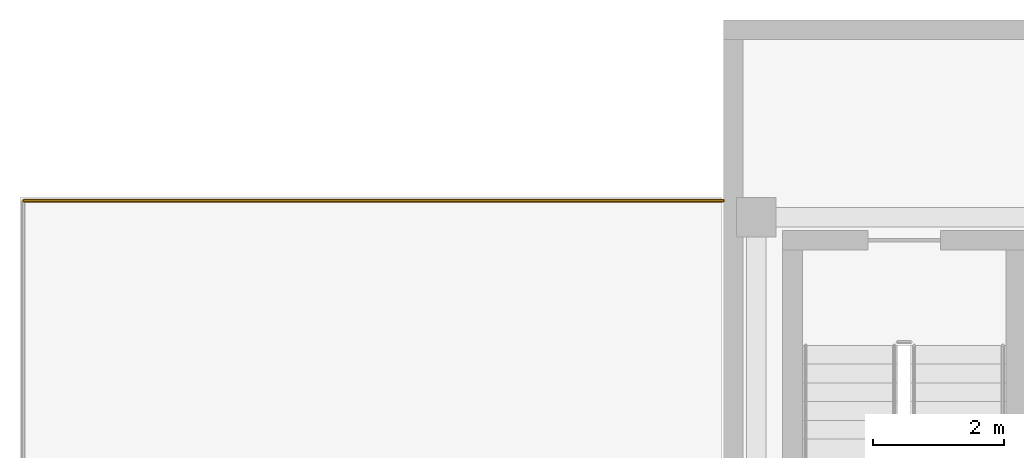
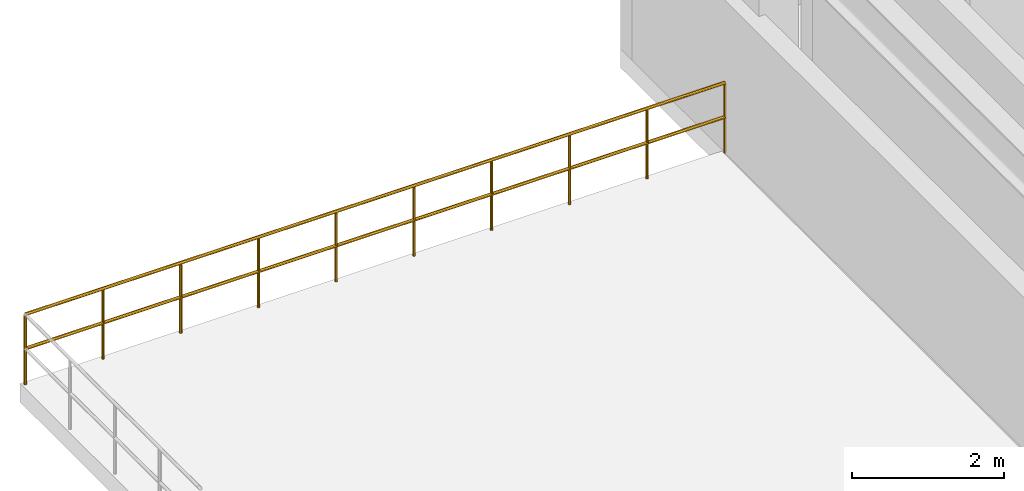
# One storey, part 7 of 9: 1 railing.
"""IFC4 building model written with IfcOpenShell, lengths in metres."""

from ifc_helpers import new_model, si_unit, direction, frame, origin, origin_2d, place, context, subcontext, project, spatial, circle, extrude, material, layer, layer_set, type_object, element, save


model = new_model("IFC4")

# Units and contexts
model_context = context("Model", 3, precision=1e-05, world=origin(), true_north=direction((0.0, 1.0)))
body_context = subcontext(model_context, "Body", "Model", "MODEL_VIEW")
ifc_project = project(units=[si_unit("LENGTHUNIT", "METRE"), si_unit("AREAUNIT", "SQUARE_METRE"), si_unit("VOLUMEUNIT", "CUBIC_METRE"), si_unit("PLANEANGLEUNIT", "RADIAN"), si_unit("MASSUNIT", "GRAM", prefix="KILO")], contexts=[model_context])

# Site, building, storey
site_placement = place(None, origin())
site = spatial("IfcSite", under=ifc_project, at=site_placement, CompositionType="ELEMENT")
building_placement = place(site_placement, origin())
building = spatial("IfcBuilding", under=site, at=building_placement, Name="Krantzveldt Concourse Tower", CompositionType="ELEMENT")
storey_placement = place(building_placement, frame((0.0, 0.0, 15.39990234375)))
storey = spatial("IfcBuildingStorey", under=building, at=storey_placement, Name="L03", CompositionType="ELEMENT", Elevation=15.39990234375)

# Railing
ifc_material = material(Name="Stainless steel 316L", Category="steel")
ifc_layer = layer(ifc_material, 0.080078125, Name="Stainless steel 316L", Category="steel")
ifc_layer_set = layer_set([ifc_layer], Name="Stainless steel 316L (RL-BALUSTRADE-1150)")
railing_type = type_object("IfcRailingType", Name="RL-BALUSTRADE-1150", PredefinedType="BALUSTRADE", material=ifc_layer_set)
railing_placement = place(storey_placement, frame((0.35009765625, 50.35009765625, 0.0)))
element("IfcRailing", 1, at=railing_placement, inside=storey, type_object=railing_type, Name="GD-L03-TW-03", PredefinedType="BALUSTRADE", context=body_context, shape_type="SweptSolid", body=[
    extrude(circle(Radius=0.02392578125, at=origin_2d()), frame((0.0, 0.0, 1.1259765625), z_axis=(1.0, 0.0, 0.0), x_axis=(0.0, 1.0, 0.0)), (0.0, 0.0, 1.0), 10.64990234375),
    extrude(circle(Radius=0.02392578125, at=origin_2d()), frame((0.0, 0.0, 0.574951171875), z_axis=(1.0, 0.0, 0.0), x_axis=(0.0, 1.0, 0.0)), (0.0, 0.0, 1.0), 10.64990234375),
    extrude(circle(Radius=0.02099609375, at=origin_2d()), origin(), (0.0, 0.0, 1.0), 1.101806640625),
    extrude(circle(Radius=0.02099609375, at=origin_2d()), frame((1.183349609375, 0.0, 0.0)), (0.0, 0.0, 1.0), 1.101806640625),
    extrude(circle(Radius=0.02099609375, at=origin_2d()), frame((2.36669921875, 0.0, 0.0)), (0.0, 0.0, 1.0), 1.101806640625),
    extrude(circle(Radius=0.02099609375, at=origin_2d()), frame((3.550048828125, 0.0, 0.0)), (0.0, 0.0, 1.0), 1.101806640625),
    extrude(circle(Radius=0.02099609375, at=origin_2d()), frame((4.7333984375, 0.0, 0.0)), (0.0, 0.0, 1.0), 1.101806640625),
    extrude(circle(Radius=0.02099609375, at=origin_2d()), frame((5.91650390625, 0.0, 0.0)), (0.0, 0.0, 1.0), 1.101806640625),
    extrude(circle(Radius=0.02099609375, at=origin_2d()), frame((7.099853515625, 0.0, 0.0)), (0.0, 0.0, 1.0), 1.101806640625),
    extrude(circle(Radius=0.02099609375, at=origin_2d()), frame((8.283203125, 0.0, 0.0)), (0.0, 0.0, 1.0), 1.101806640625),
    extrude(circle(Radius=0.02099609375, at=origin_2d()), frame((9.466552734375, 0.0, 0.0)), (0.0, 0.0, 1.0), 1.101806640625),
    extrude(circle(Radius=0.02099609375, at=origin_2d()), frame((10.64990234375, 0.0, 0.0)), (0.0, 0.0, 1.0), 1.101806640625),
])

save(model, "model.ifc")
